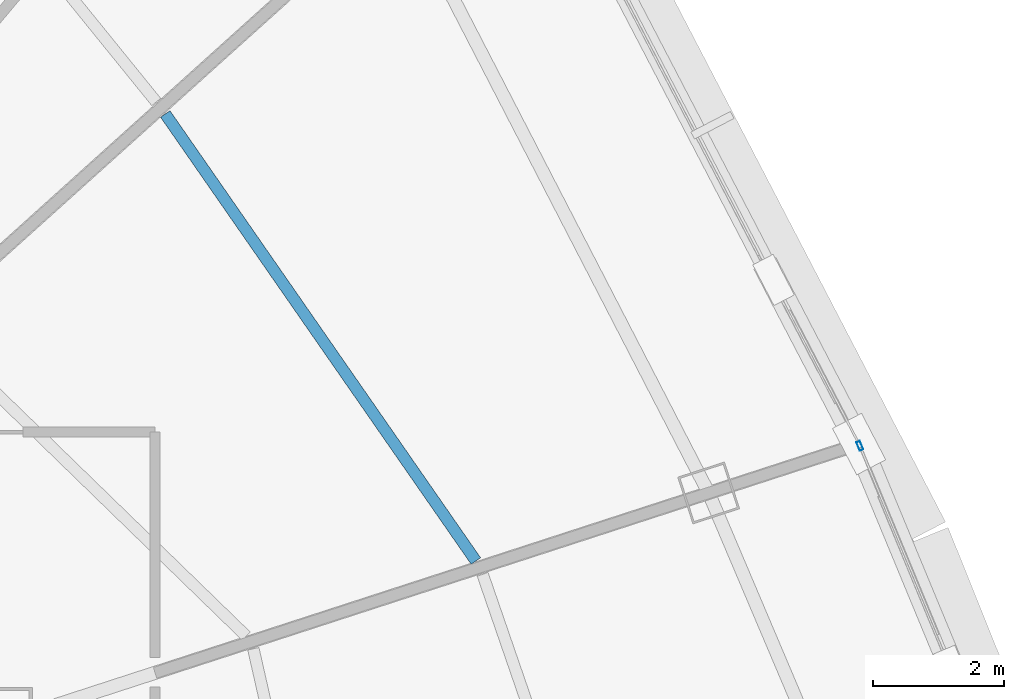
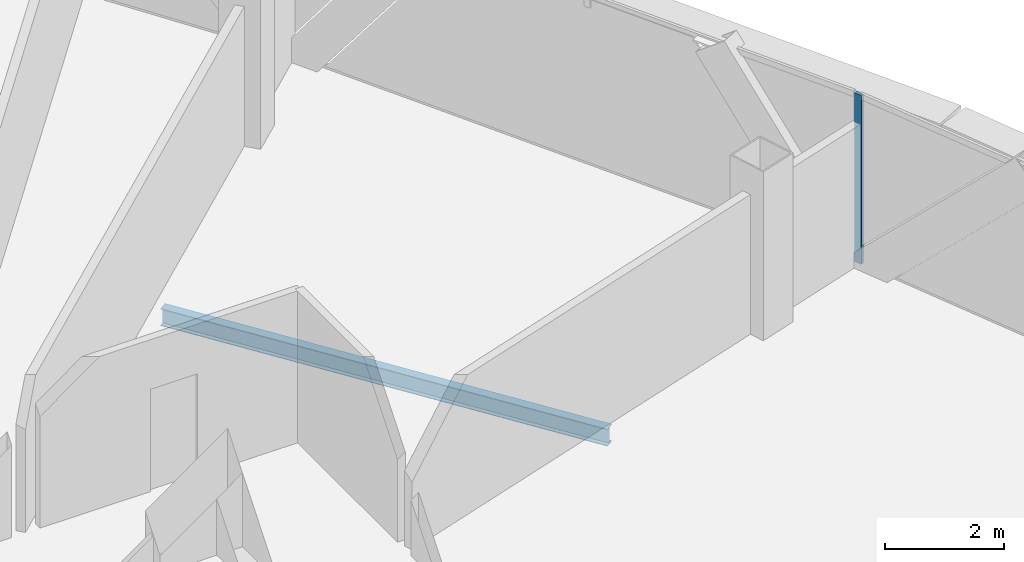
# One storey, part 18 of 40: 1 beam, 1 member, 1 element without a shape of its own.
"""IFC4 building model written with IfcOpenShell, lengths in metres."""

from ifc_helpers import new_model, si_unit, direction, frame, origin, origin_2d, place, context, subcontext, project, spatial, hollow_rectangle, i_section, extrude, source, transform, mapped, material, layer, layer_set, material_profile, profile_set, type_object, element, aggregate, save


model = new_model("IFC4")

# Units and contexts
model_context = context("Model", 3, precision=1e-05, world=origin(), true_north=direction((0.0, 1.0)))
body_context = subcontext(model_context, "Body", "Model", "MODEL_VIEW")
ifc_project = project(units=[si_unit("LENGTHUNIT", "METRE"), si_unit("AREAUNIT", "SQUARE_METRE"), si_unit("VOLUMEUNIT", "CUBIC_METRE"), si_unit("PLANEANGLEUNIT", "RADIAN"), si_unit("MASSUNIT", "GRAM", prefix="KILO"), si_unit("THERMODYNAMICTEMPERATUREUNIT", "KELVIN"), si_unit("POWERUNIT", "WATT")], contexts=[model_context])

# Site, building, storey
site_placement = place(None, origin())
site = spatial("IfcSite", under=ifc_project, at=site_placement, CompositionType="ELEMENT")
building_placement = place(site_placement, origin())
building = spatial("IfcBuilding", under=site, at=building_placement, Name="Yunzhuo Pagoda Commons", CompositionType="ELEMENT")
storey_placement = place(building_placement, frame((0.0, 0.0, 288.75)))
storey = spatial("IfcBuildingStorey", under=building, at=storey_placement, Name="L72", CompositionType="ELEMENT", Elevation=288.75)

# Beam
ifc_material_1 = material(Name="Structural steel Q355B", Category="steel")
ifc_material_profile_1 = material_profile(ifc_material_1, i_section(OverallWidth=0.175048828125, OverallDepth=0.35009765625, WebThickness=0.007080078125, FlangeThickness=0.010986328125, at=origin_2d()), Name="Structural steel Q355B")
ifc_profile_set_1 = profile_set([ifc_material_profile_1], Name="Structural steel Q355B")
beam_type = type_object("IfcBeamType", Name="B-JS2 Joist HN 350x175x7x11", PredefinedType="JOIST", material=ifc_profile_set_1)
shared_shape_1 = source(origin(), body_context, "Body", "SweptSolid", [
    extrude(i_section(OverallWidth=0.175048828125, OverallDepth=0.35009765625, WebThickness=0.007080078125, FlangeThickness=0.010986328125, at=origin_2d()), origin(), (0.0, 0.0, 1.0), 8.31103515625),
])
beam_placement = place(storey_placement, frame((67.748046875, 40.232421875, -0.43505859375), z_axis=(-0.570615989364, 0.821217019236, 0.0), x_axis=(-0.821217019236, -0.570615989364, 0.0)))
element("IfcBeam", 1, at=beam_placement, inside=storey, type_object=beam_type, Name="L72 composite ring joist 2.6", PredefinedType="JOIST", context=body_context, shape_type="MappedRepresentation", body=[
    mapped(shared_shape_1, transform((0.0, 0.0, 0.0), scale=1.0)),
])

# Curtain wall, member
ifc_material_2 = material(Name="Anodized aluminium 6063-T6", Category="aluminium")
ifc_layer = layer(ifc_material_2, 0.139892578125)
ifc_layer_set = layer_set([ifc_layer], Name="Anodized aluminium 6063-T6")
curtain_wall_type = type_object("IfcCurtainWallType", Name="CW-HI High-Zone Ribbon Curtain Wall", PredefinedType="NOTDEFINED", material=ifc_layer_set)
curtain_wall_placement = place(storey_placement, origin())
curtain_wall = element("IfcCurtainWall", 2, at=curtain_wall_placement, inside=storey, type_object=curtain_wall_type, Name="L72 curtain wall CW-L72-F2B2", PredefinedType="NOTDEFINED")
ifc_material_profile_2 = material_profile(ifc_material_2, hollow_rectangle(XDim=0.06005859375, YDim=0.139892578125, WallThickness=0.00341796875, at=origin_2d()), Name="Anodized aluminium 6063-T6")
ifc_profile_set_2 = profile_set([ifc_material_profile_2], Name="Anodized aluminium 6063-T6")
member_type = type_object("IfcMemberType", Name="CW-HI-M Mullion RHS 140x60x3.5", PredefinedType="MULLION", material=ifc_profile_set_2)
shared_shape_2 = source(origin(), body_context, "Body", "SweptSolid", [
    extrude(hollow_rectangle(XDim=0.06005859375, YDim=0.139892578125, WallThickness=0.00341796875, at=origin_2d()), origin(), (0.0, 0.0, 1.0), 3.469970703125),
])
member_placement = place(storey_placement, frame((73.610595703125, 41.989990234375, 0.0), z_axis=(0.0, 0.0, 1.0), x_axis=(-0.923899046183, -0.382636318796, 0.0)))
member = element("IfcMember", 3, at=member_placement, type_object=member_type, Name="CW mullion 2", PredefinedType="MULLION", context=body_context, shape_type="MappedRepresentation", body=[
    mapped(shared_shape_2, transform((0.0, 0.0, 0.0), scale=1.0)),
])
aggregate(curtain_wall, [member])

save(model, "model.ifc")
